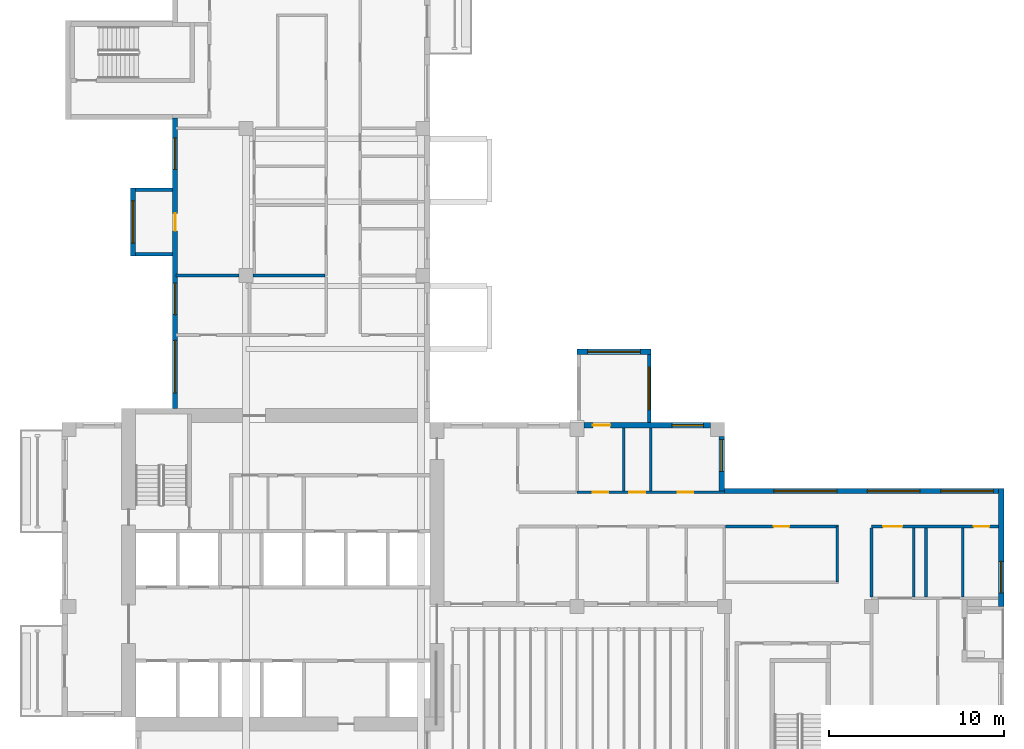
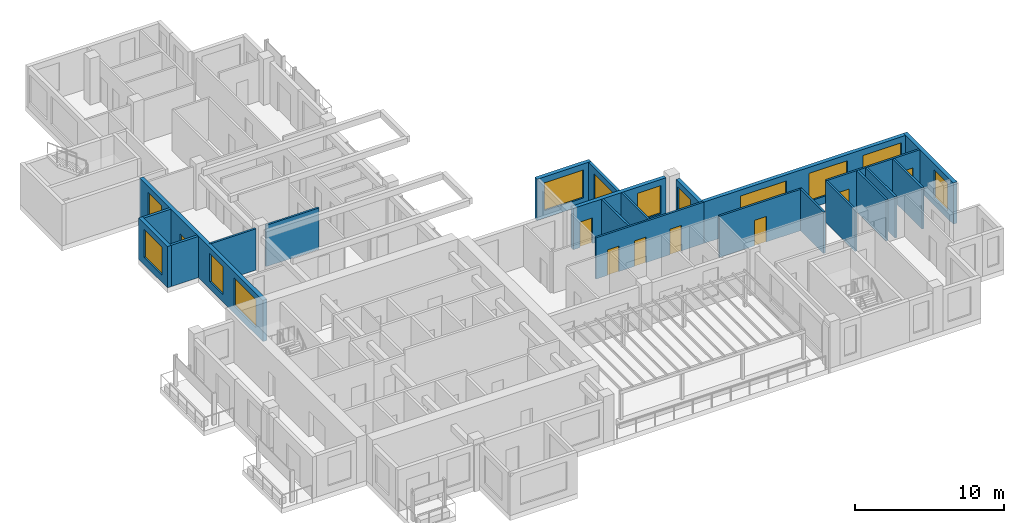
# One storey, part 7 of 13: 22 walls, 12 windows, 8 doors, 20 openings.
"""IFC4 building model written with IfcOpenShell, lengths in metres."""

import ifcopenshell
import ifcopenshell.guid

model = None  # the IFC model being written
_history = None  # IfcOwnerHistory: only IFC2X3 demands one
_inside = {}  # id of a spatial element -> (the spatial element, [elements in it])
_under = {}  # id of a project, library or spatial element -> (it, [spatial elements below it])
_declared = {}  # id of a project -> (the project, [libraries it declares])
_typed = {}  # id of a type object -> (the type object, [elements of that type])
_made_of = {}  # id of a material, layer set ... -> (it, [elements and type objects made of it])


def new_model(schema):
    """Start an empty IFC model of exactly this schema.

    Asked for "IFC4X3", IfcOpenShell would pick the latest addendum, in which some entities
    have other attributes; the version numbers below select the first issue.
    IFC2X3 requires an IfcOwnerHistory on every rooted entity: one is made here for all.
    """
    global model, _history
    if schema == "IFC4X3":
        model = ifcopenshell.file(schema_version=(4, 3, 0, 0))
    else:
        model = ifcopenshell.file(schema=schema)
    _inside.clear()
    _under.clear()
    _declared.clear()
    _typed.clear()
    _made_of.clear()
    _history = None
    if model.schema == "IFC2X3":
        org = make("IfcOrganization", Name="unknown")
        user = make(
            "IfcPersonAndOrganization",
            ThePerson=make("IfcPerson", FamilyName="unknown"),
            TheOrganization=org,
        )
        app = make(
            "IfcApplication",
            ApplicationDeveloper=org,
            Version="unknown",
            ApplicationFullName="unknown",
            ApplicationIdentifier="unknown",
        )
        _history = make(
            "IfcOwnerHistory",
            OwningUser=user,
            OwningApplication=app,
            ChangeAction="ADDED",
            CreationDate=0,
        )
    return model


def make(cls, **values):
    """One entity of the class cls with the attributes given. An attribute that is None is left unset."""
    return model.create_entity(
        cls, **{name: value for name, value in values.items() if value is not None}
    )


def rooted(cls, **values):
    """An entity with a GlobalId (a new one), such as an element, a storey or a relation."""
    return make(cls, GlobalId=ifcopenshell.guid.new(), OwnerHistory=_history, **values)


def si_unit(unit_type, name, prefix=None):
    """IfcSIUnit, for example si_unit("LENGTHUNIT", "METRE", prefix="MILLI")."""
    return make("IfcSIUnit", UnitType=unit_type, Prefix=prefix, Name=name)


def assignment(units):
    """IfcUnitAssignment: the units of a project."""
    return None if units is None else make("IfcUnitAssignment", Units=units)


def point(xyz):
    """IfcCartesianPoint."""
    return None if xyz is None else make("IfcCartesianPoint", Coordinates=xyz)


def direction(xyz):
    """IfcDirection."""
    return None if xyz is None else make("IfcDirection", DirectionRatios=xyz)


def frame(location, z_axis=None, x_axis=None):
    """IfcAxis2Placement3D, a coordinate frame: its origin and axes. An axis left out is left unset."""
    return make(
        "IfcAxis2Placement3D",
        Location=point(location),
        Axis=direction(z_axis),
        RefDirection=direction(x_axis),
    )


def frame_2d(location, x_axis=None):
    """IfcAxis2Placement2D, a coordinate frame in the plane: its origin and x axis."""
    return make(
        "IfcAxis2Placement2D", Location=point(location), RefDirection=direction(x_axis)
    )


def origin():
    """The frame at (0, 0, 0) with its axes left unset."""
    return frame((0.0, 0.0, 0.0))


def place(relative_to, where):
    """IfcLocalPlacement: puts the frame where relative to a parent placement (None: the world)."""
    return make(
        "IfcLocalPlacement", PlacementRelTo=relative_to, RelativePlacement=where
    )


def context(
    kind, dimensions, precision=None, world=None, true_north=None, identifier=None
):
    """IfcGeometricRepresentationContext, for example the 3D "Model" context."""
    return make(
        "IfcGeometricRepresentationContext",
        ContextIdentifier=identifier,
        ContextType=kind,
        CoordinateSpaceDimension=dimensions,
        Precision=precision,
        WorldCoordinateSystem=world,
        TrueNorth=true_north,
    )


def subcontext(parent, identifier, kind, view, scale=None):
    """IfcGeometricRepresentationSubContext, for example "Body" below "Model"."""
    return make(
        "IfcGeometricRepresentationSubContext",
        ContextIdentifier=identifier,
        ContextType=kind,
        ParentContext=parent,
        TargetScale=scale,
        TargetView=view,
    )


def project(units=None, contexts=None):
    """IfcProject with its units and contexts."""
    return rooted(
        "IfcProject",
        Name="project",
        RepresentationContexts=contexts,
        UnitsInContext=assignment(units),
    )


def spatial(cls, under=None, at=None, **own):
    """A site, building, storey or space (cls), placed at a placement, below another one or the project."""
    s = rooted(cls, ObjectPlacement=at, **own)
    if under is not None:
        _under.setdefault(under.id(), (under, []))[1].append(s)
    return s


def profile(cls, at=None, kind="AREA", **sizes):
    """A parametric profile (cls). Its sizes go by their IFC names, for example OverallWidth=200.0."""
    return make(cls, ProfileType=kind, Position=at, **sizes)


def rectangle(**sizes):
    """IfcRectangleProfileDef."""
    return profile("IfcRectangleProfileDef", **sizes)


def extrude(swept, where, along, depth):
    """IfcExtrudedAreaSolid: the profile swept, set in the frame where, extruded along a direction by depth."""
    return make(
        "IfcExtrudedAreaSolid",
        SweptArea=swept,
        Position=where,
        ExtrudedDirection=direction(along),
        Depth=depth,
    )


def shape(context_of_items, identifier, shape_type, items):
    """IfcShapeRepresentation: the items that make up one representation, for example the "Body"."""
    return make(
        "IfcShapeRepresentation",
        ContextOfItems=context_of_items,
        RepresentationIdentifier=identifier,
        RepresentationType=shape_type,
        Items=items,
    )


def source(mapping_origin, context_of_items, identifier, shape_type, items):
    """IfcRepresentationMap: a shape defined once, which mapped items show again and again."""
    return make(
        "IfcRepresentationMap",
        MappingOrigin=mapping_origin,
        MappedRepresentation=shape(context_of_items, identifier, shape_type, items),
    )


def transform(
    local_origin,
    x_axis=None,
    y_axis=None,
    z_axis=None,
    scale=None,
    scale2=None,
    scale3=None,
    uniform=True,
):
    """IfcCartesianTransformationOperator3D, or its non-uniform kind. x_axis, y_axis, z_axis: its Axis1, 2, 3."""
    if uniform:
        return make(
            "IfcCartesianTransformationOperator3D",
            Axis1=direction(x_axis),
            Axis2=direction(y_axis),
            LocalOrigin=point(local_origin),
            Scale=scale,
            Axis3=direction(z_axis),
        )
    return make(
        "IfcCartesianTransformationOperator3DnonUniform",
        Axis1=direction(x_axis),
        Axis2=direction(y_axis),
        LocalOrigin=point(local_origin),
        Scale=scale,
        Axis3=direction(z_axis),
        Scale2=scale2,
        Scale3=scale3,
    )


def mapped(mapping_source, mapping_target):
    """IfcMappedItem: shows the shape of a source again, moved by a transform."""
    return make(
        "IfcMappedItem", MappingSource=mapping_source, MappingTarget=mapping_target
    )


def material(Name=None, Category=None):
    """IfcMaterial."""
    return make("IfcMaterial", Name=Name, Category=Category)


def layer(
    of_material, thickness, ventilated=None, Name=None, Category=None, Priority=None
):
    """IfcMaterialLayer: one layer of a wall or slab, of a material (None: an air gap)."""
    return make(
        "IfcMaterialLayer",
        Material=of_material,
        LayerThickness=thickness,
        IsVentilated=ventilated,
        Name=Name,
        Category=Category,
        Priority=Priority,
    )


def layer_set(layers, Name=None):
    """IfcMaterialLayerSet."""
    return make("IfcMaterialLayerSet", MaterialLayers=layers, LayerSetName=Name)


def made_of(thing, what):
    """Note that an element or type object is made of a material, layer set ...; save() writes the relation."""
    if what is not None:
        _made_of.setdefault(what.id(), (what, []))[1].append(thing)
    return thing


def type_object(cls, material=None, **own):
    """A type object (cls), such as IfcWallType, which elements share."""
    return made_of(rooted(cls, **own), material)


def element(
    cls,
    number,
    at=None,
    inside=None,
    cuts=None,
    type_object=None,
    material=None,
    context=None,
    identifier="Body",
    shape_type=None,
    held_by="IfcProductDefinitionShape",
    body=None,
    shapes=None,
    **own,
):
    """One element of the class cls, such as IfcWall. Its Tag is "e" and its number.

    at: its placement. inside: the storey or other place that contains it. cuts: it is an
    opening in that element (IfcRelVoidsElement). A single representation is given by context,
    identifier, shape_type and body (its items); several are given by shapes. held_by: the class
    of the entity that holds the representations. save() writes the other relations.
    """
    e = rooted(cls, Tag="e%d" % number, ObjectPlacement=at, **own)
    if body is not None:
        shapes = [shape(context, identifier, shape_type, body)]
    if shapes is not None:
        e.Representation = make(held_by, Representations=shapes)
    if inside is not None:
        _inside.setdefault(inside.id(), (inside, []))[1].append(e)
    if cuts is not None:
        rooted(
            "IfcRelVoidsElement", RelatingBuildingElement=cuts, RelatedOpeningElement=e
        )
    if type_object is not None:
        _typed.setdefault(type_object.id(), (type_object, []))[1].append(e)
    return made_of(e, material)


def fill(opening, filler):
    """IfcRelFillsElement: the door or window that sits in an opening."""
    return rooted(
        "IfcRelFillsElement",
        RelatingOpeningElement=opening,
        RelatedBuildingElement=filler,
    )


def aggregate(whole, parts):
    """IfcRelAggregates: a whole, such as a stair, and the parts it consists of."""
    return rooted("IfcRelAggregates", RelatingObject=whole, RelatedObjects=parts)


def save(model, path):
    """Write the relations noted so far, then the file.

    IfcRelAggregates (storeys below a building ...), IfcRelContainedInSpatialStructure (elements
    in a storey), IfcRelDefinesByType, IfcRelAssociatesMaterial and IfcRelDeclares: one each for
    every whole, place, type object, material and project.
    """
    for whole, parts in _under.values():
        aggregate(whole, parts)
    for where, things in _inside.values():
        rooted(
            "IfcRelContainedInSpatialStructure",
            RelatedElements=things,
            RelatingStructure=where,
        )
    for kind, things in _typed.values():
        rooted("IfcRelDefinesByType", RelatedObjects=things, RelatingType=kind)
    for what, things in _made_of.values():
        rooted("IfcRelAssociatesMaterial", RelatedObjects=things, RelatingMaterial=what)
    for by, libraries in _declared.values():
        rooted("IfcRelDeclares", RelatingContext=by, RelatedDefinitions=libraries)
    model.write(path)


model = new_model("IFC4")

# Units and contexts
model_context = context("Model", 3, precision=1e-05, world=origin(), true_north=direction((0.0, 1.0)))
body_context = subcontext(model_context, "Body", "Model", "MODEL_VIEW")
ifc_project = project(units=[si_unit("LENGTHUNIT", "METRE"), si_unit("AREAUNIT", "SQUARE_METRE"), si_unit("VOLUMEUNIT", "CUBIC_METRE"), si_unit("PLANEANGLEUNIT", "RADIAN"), si_unit("MASSUNIT", "GRAM", prefix="KILO")], contexts=[model_context])

# Site, building, storey
site_placement = place(None, origin())
site = spatial("IfcSite", under=ifc_project, at=site_placement, CompositionType="ELEMENT")
building_placement = place(site_placement, origin())
building = spatial("IfcBuilding", under=site, at=building_placement, Name="Aurelian Terraces", CompositionType="ELEMENT")
storey_placement = place(building_placement, frame((0.0, 0.0, 253.8)))
storey = spatial("IfcBuildingStorey", under=building, at=storey_placement, Name="L58", CompositionType="ELEMENT", Elevation=253.8)

# Wall, opening, window
ifc_material_1 = material(Name="Concrete fc' 40 MPa", Category="concrete")
ifc_layer_1 = layer(ifc_material_1, 0.2)
ifc_layer_set_1 = layer_set([ifc_layer_1], Name="BOX BEARING WALL 200")
wall_type_1 = type_object("IfcWallType", Name="BOX BEARING WALL 200", PredefinedType="SOLIDWALL", material=ifc_layer_set_1)
shared_shape_1 = source(origin(), body_context, "Body", "SweptSolid", [
    extrude(rectangle(XDim=3.9, YDim=0.2, at=frame_2d((1.95, 0.0))), origin(), (0.0, 0.0, 1.0), 3.39),
])
wall_1_placement = place(storey_placement, frame((33.5, 21.0, 0.0), z_axis=(0.0, 0.0, 1.0), x_axis=(0.0, 1.0, 0.0)))
wall_1 = element("IfcWall", 1, at=wall_1_placement, inside=storey, type_object=wall_type_1, Name="Box return L58 J84.1", PredefinedType="SOLIDWALL", context=body_context, shape_type="MappedRepresentation", body=[
    mapped(shared_shape_1, transform((0.0, 0.0, 0.0), scale=1.0)),
])
shared_shape_2 = source(origin(), body_context, "Body", "SweptSolid", [
    extrude(rectangle(XDim=2.4, YDim=2.3, at=frame_2d((1.2, 1.15))), frame((0.0, 0.11, 0.0), z_axis=(0.0, -1.0, 0.0), x_axis=(1.0, 0.0, 0.0)), (0.0, 0.0, 1.0), 0.22),
])
opening_1_placement = place(wall_1_placement, frame((0.75, 0.0, 0.6)))
opening_1 = element("IfcOpeningElement", 2, at=opening_1_placement, cuts=wall_1, Name="Opening W2423", PredefinedType="OPENING", context=body_context, shape_type="MappedRepresentation", body=[
    mapped(shared_shape_2, transform((0.0, 0.0, 0.0), scale=1.0)),
])
ifc_material_2 = material(Name="Clear glazing", Category="glass")
window_type_1 = type_object("IfcWindowType", Name="W-2400x2300", PartitioningType="SINGLE_PANEL", PredefinedType="WINDOW", material=ifc_material_2)
shared_shape_3 = source(origin(), body_context, "Body", "SweptSolid", [
    extrude(rectangle(XDim=2.4, YDim=2.3, at=frame_2d((1.2, 1.15))), frame((0.0, 0.03, 0.0), z_axis=(0.0, -1.0, 0.0), x_axis=(1.0, 0.0, 0.0)), (0.0, 0.0, 1.0), 0.06),
])
window_1_placement = place(opening_1_placement, origin())
window_1 = element("IfcWindow", 3, at=window_1_placement, inside=storey, type_object=window_type_1, Name="Window L58 J84-S1", OverallHeight=2.3, OverallWidth=2.4, PartitioningType="SINGLE_PANEL", PredefinedType="WINDOW", context=body_context, shape_type="MappedRepresentation", body=[
    mapped(shared_shape_3, transform((0.0, 0.0, 0.0), scale=1.0)),
])
fill(opening_1, window_1)

ifc_layer_2 = layer(ifc_material_1, 0.3)
ifc_layer_set_2 = layer_set([ifc_layer_2], Name="BOX BEARING WALL 300")
wall_type_2 = type_object("IfcWallType", Name="BOX BEARING WALL 300", PredefinedType="SOLIDWALL", material=ifc_layer_set_2)
shared_shape_4 = source(origin(), body_context, "Body", "SweptSolid", [
    extrude(rectangle(XDim=4.2, YDim=0.3, at=frame_2d((2.1, 0.0))), origin(), (0.0, 0.0, 1.0), 3.39),
])
wall_2_placement = place(storey_placement, frame((33.6, 25.05, 0.0), z_axis=(0.0, 0.0, 1.0), x_axis=(-1.0, 0.0, 0.0)))
wall_2 = element("IfcWall", 4, at=wall_2_placement, inside=storey, type_object=wall_type_2, Name="Box wall L58 J84", PredefinedType="SOLIDWALL", context=body_context, shape_type="MappedRepresentation", body=[
    mapped(shared_shape_4, transform((0.0, 0.0, 0.0), scale=1.0)),
])
shared_shape_5 = source(origin(), body_context, "Body", "SweptSolid", [
    extrude(rectangle(XDim=3.0, YDim=2.3, at=frame_2d((1.5, 1.15))), frame((0.0, 0.16, 0.0), z_axis=(0.0, -1.0, 0.0), x_axis=(1.0, 0.0, 0.0)), (0.0, 0.0, 1.0), 0.32),
])
opening_2_placement = place(wall_2_placement, frame((0.6, 0.0, 0.6)))
opening_2 = element("IfcOpeningElement", 5, at=opening_2_placement, cuts=wall_2, Name="Opening W3023", PredefinedType="OPENING", context=body_context, shape_type="MappedRepresentation", body=[
    mapped(shared_shape_5, transform((0.0, 0.0, 0.0), scale=1.0)),
])
window_type_2 = type_object("IfcWindowType", Name="W-3000x2300", PartitioningType="SINGLE_PANEL", PredefinedType="WINDOW", material=ifc_material_2)
shared_shape_6 = source(origin(), body_context, "Body", "SweptSolid", [
    extrude(rectangle(XDim=3.0, YDim=2.3, at=frame_2d((1.5, 1.15))), frame((0.0, 0.03, 0.0), z_axis=(0.0, -1.0, 0.0), x_axis=(1.0, 0.0, 0.0)), (0.0, 0.0, 1.0), 0.06),
])
window_2_placement = place(opening_2_placement, origin())
window_2 = element("IfcWindow", 6, at=window_2_placement, inside=storey, type_object=window_type_2, Name="Window L58 J84-F1", OverallHeight=2.3, OverallWidth=3.0, PartitioningType="SINGLE_PANEL", PredefinedType="WINDOW", context=body_context, shape_type="MappedRepresentation", body=[
    mapped(shared_shape_6, transform((0.0, 0.0, 0.0), scale=1.0)),
])
fill(opening_2, window_2)

# Wall, openings, windows, door
ifc_material_3 = material(Name="Terracotta rainscreen cladding", Category="masonry")
ifc_layer_3 = layer(ifc_material_3, 0.3)
ifc_layer_set_3 = layer_set([ifc_layer_3], Name="EW-300")
wall_type_3 = type_object("IfcWallType", Name="EW-300", PredefinedType="STANDARD", material=ifc_layer_set_3)
shared_shape_7 = source(origin(), body_context, "Body", "SweptSolid", [
    extrude(rectangle(XDim=16.6, YDim=0.3, at=frame_2d((8.3, 0.0))), origin(), (0.0, 0.0, 1.0), 3.4),
])
wall_3_placement = place(storey_placement, frame((6.45, 38.4, 0.0), z_axis=(0.0, 0.0, 1.0), x_axis=(0.0, -1.0, 0.0)))
wall_3 = element("IfcWall", 7, at=wall_3_placement, inside=storey, type_object=wall_type_3, Name="External wall L58 F20.34", PredefinedType="STANDARD", context=body_context, shape_type="MappedRepresentation", body=[
    mapped(shared_shape_7, transform((0.0, 0.0, 0.0), scale=1.0)),
])
shared_shape_8 = source(origin(), body_context, "Body", "SweptSolid", [
    extrude(rectangle(XDim=1.8, YDim=2.3, at=frame_2d((0.9, 1.15))), frame((0.0, 0.16, 0.0), z_axis=(0.0, -1.0, 0.0), x_axis=(1.0, 0.0, 0.0)), (0.0, 0.0, 1.0), 0.32),
])
opening_3_placement = place(wall_3_placement, frame((1.15, 0.0, 0.6)))
opening_3 = element("IfcOpeningElement", 8, at=opening_3_placement, cuts=wall_3, Name="Opening W1823", PredefinedType="OPENING", context=body_context, shape_type="MappedRepresentation", body=[
    mapped(shared_shape_8, transform((0.0, 0.0, 0.0), scale=1.0)),
])
opening_4_placement = place(wall_3_placement, frame((9.4375, 0.0, 0.6)))
opening_4 = element("IfcOpeningElement", 9, at=opening_4_placement, cuts=wall_3, Name="Opening W1823", PredefinedType="OPENING", context=body_context, shape_type="MappedRepresentation", body=[
    mapped(shared_shape_8, transform((0.0, 0.0, 0.0), scale=1.0)),
])
opening_5_placement = place(wall_3_placement, frame((12.7, 0.0, 0.6)))
opening_5 = element("IfcOpeningElement", 10, at=opening_5_placement, cuts=wall_3, Name="Opening W3023", PredefinedType="OPENING", context=body_context, shape_type="MappedRepresentation", body=[
    mapped(shared_shape_5, transform((0.0, 0.0, 0.0), scale=1.0)),
])
shared_shape_9 = source(origin(), body_context, "Body", "SweptSolid", [
    extrude(rectangle(XDim=1.0, YDim=2.1, at=frame_2d((0.5, 1.05))), frame((0.0, 0.16, 0.0), z_axis=(0.0, -1.0, 0.0), x_axis=(1.0, 0.0, 0.0)), (0.0, 0.0, 1.0), 0.32),
])
opening_6_placement = place(wall_3_placement, frame((5.45, 0.0, 0.0)))
opening_6 = element("IfcOpeningElement", 11, at=opening_6_placement, cuts=wall_3, Name="Opening 858003", PredefinedType="OPENING", context=body_context, shape_type="MappedRepresentation", body=[
    mapped(shared_shape_9, transform((0.0, 0.0, 0.0), scale=1.0)),
])
window_3_placement = place(opening_5_placement, origin())
window_3 = element("IfcWindow", 12, at=window_3_placement, inside=storey, type_object=window_type_2, Name="Window L58 L58-F20-34-3", OverallHeight=2.3, OverallWidth=3.0, PartitioningType="SINGLE_PANEL", PredefinedType="WINDOW", context=body_context, shape_type="MappedRepresentation", body=[
    mapped(shared_shape_6, transform((0.0, 0.0, 0.0), scale=1.0)),
])
fill(opening_5, window_3)
window_type_3 = type_object("IfcWindowType", Name="W-1800x2300", PartitioningType="SINGLE_PANEL", PredefinedType="WINDOW", material=ifc_material_2)
shared_shape_10 = source(origin(), body_context, "Body", "SweptSolid", [
    extrude(rectangle(XDim=1.8, YDim=2.3, at=frame_2d((0.9, 1.15))), frame((0.0, 0.03, 0.0), z_axis=(0.0, -1.0, 0.0), x_axis=(1.0, 0.0, 0.0)), (0.0, 0.0, 1.0), 0.06),
])
window_4_placement = place(opening_3_placement, origin())
window_4 = element("IfcWindow", 13, at=window_4_placement, inside=storey, type_object=window_type_3, Name="Window L58 L58-F20-34-0", OverallHeight=2.3, OverallWidth=1.8, PartitioningType="SINGLE_PANEL", PredefinedType="WINDOW", context=body_context, shape_type="MappedRepresentation", body=[
    mapped(shared_shape_10, transform((0.0, 0.0, 0.0), scale=1.0)),
])
fill(opening_3, window_4)
window_5_placement = place(opening_4_placement, origin())
window_5 = element("IfcWindow", 14, at=window_5_placement, inside=storey, type_object=window_type_3, Name="Window L58 L58-F20-34-2", OverallHeight=2.3, OverallWidth=1.8, PartitioningType="SINGLE_PANEL", PredefinedType="WINDOW", context=body_context, shape_type="MappedRepresentation", body=[
    mapped(shared_shape_10, transform((0.0, 0.0, 0.0), scale=1.0)),
])
fill(opening_4, window_5)
ifc_material_4 = material(Name="Timber door leaf", Category="wood")
door_type_1 = type_object("IfcDoorType", Name="Room door 1000x2100 left", OperationType="SINGLE_SWING_LEFT", PredefinedType="DOOR", material=ifc_material_4)
shared_shape_11 = source(origin(), body_context, "Body", "SweptSolid", [
    extrude(rectangle(XDim=1.0, YDim=2.1, at=frame_2d((0.5, 1.05))), frame((0.0, 0.025, 0.0), z_axis=(0.0, -1.0, 0.0), x_axis=(1.0, 0.0, 0.0)), (0.0, 0.0, 1.0), 0.05),
])
door_1_placement = place(opening_6_placement, origin())
door_1 = element("IfcDoor", 15, at=door_1_placement, inside=storey, type_object=door_type_1, Name="Door 858003", OperationType="SINGLE_SWING_LEFT", OverallHeight=2.1, OverallWidth=1.0, PredefinedType="DOOR", context=body_context, shape_type="MappedRepresentation", body=[
    mapped(shared_shape_11, transform((0.0, 0.0, 0.0), scale=1.0)),
])
fill(opening_6, door_1)

# Walls
shared_shape_12 = source(origin(), body_context, "Body", "SweptSolid", [
    extrude(rectangle(XDim=2.1, YDim=0.2, at=frame_2d((1.05, 0.0))), origin(), (0.0, 0.0, 1.0), 3.39),
])
for number, where, z_axis, x_axis, name in (
    (16, (6.3, 34.3, 0.0), (0.0, 0.0, 1.0), (-1.0, 0.0, 0.0), "Box return L58 J85.1"),
    (17, (6.3, 30.6, 0.0), (0.0, 0.0, 1.0), (-1.0, 0.0, 0.0), "Box return L58 J85.2"),
):
    element("IfcWall", number, at=place(storey_placement, frame(where, z_axis=z_axis, x_axis=x_axis)), inside=storey, type_object=wall_type_1, Name=name, PredefinedType="SOLIDWALL", context=body_context, shape_type="MappedRepresentation", body=[
        mapped(shared_shape_12, transform((0.0, 0.0, 0.0), scale=1.0)),
    ])

# Wall, opening, window
shared_shape_13 = source(origin(), body_context, "Body", "SweptSolid", [
    extrude(rectangle(XDim=6.75, YDim=0.3, at=frame_2d((3.375, 0.0))), origin(), (0.0, 0.0, 1.0), 3.4),
])
wall_4_placement = place(storey_placement, frame((53.61, 10.5, 0.0), z_axis=(0.0, 0.0, 1.0), x_axis=(0.0, 1.0, 0.0)))
wall_4 = element("IfcWall", 18, at=wall_4_placement, inside=storey, type_object=wall_type_3, Name="External wall L58 F08.16", PredefinedType="STANDARD", context=body_context, shape_type="MappedRepresentation", body=[
    mapped(shared_shape_13, transform((0.0, 0.0, 0.0), scale=1.0)),
])
opening_7_placement = place(wall_4_placement, frame((0.7875, 0.0, 0.6)))
opening_7 = element("IfcOpeningElement", 19, at=opening_7_placement, cuts=wall_4, Name="Opening W1823", PredefinedType="OPENING", context=body_context, shape_type="MappedRepresentation", body=[
    mapped(shared_shape_8, transform((0.0, 0.0, 0.0), scale=1.0)),
])
window_6_placement = place(opening_7_placement, origin())
window_6 = element("IfcWindow", 20, at=window_6_placement, inside=storey, type_object=window_type_3, Name="Window L58 L58-F08-16-0", OverallHeight=2.3, OverallWidth=1.8, PartitioningType="SINGLE_PANEL", PredefinedType="WINDOW", context=body_context, shape_type="MappedRepresentation", body=[
    mapped(shared_shape_10, transform((0.0, 0.0, 0.0), scale=1.0)),
])
fill(opening_7, window_6)

shared_shape_14 = source(origin(), body_context, "Body", "SweptSolid", [
    extrude(rectangle(XDim=3.9, YDim=0.3, at=frame_2d((1.95, 0.0))), origin(), (0.0, 0.0, 1.0), 3.39),
])
wall_5_placement = place(storey_placement, frame((4.05, 34.4, 0.0), z_axis=(0.0, 0.0, 1.0), x_axis=(0.0, -1.0, 0.0)))
wall_5 = element("IfcWall", 21, at=wall_5_placement, inside=storey, type_object=wall_type_2, Name="Box wall L58 J85", PredefinedType="SOLIDWALL", context=body_context, shape_type="MappedRepresentation", body=[
    mapped(shared_shape_14, transform((0.0, 0.0, 0.0), scale=1.0)),
])
shared_shape_15 = source(origin(), body_context, "Body", "SweptSolid", [
    extrude(rectangle(XDim=2.4, YDim=2.3, at=frame_2d((1.2, 1.15))), frame((0.0, 0.16, 0.0), z_axis=(0.0, -1.0, 0.0), x_axis=(1.0, 0.0, 0.0)), (0.0, 0.0, 1.0), 0.32),
])
opening_8_placement = place(wall_5_placement, frame((0.75, 0.0, 0.6)))
opening_8 = element("IfcOpeningElement", 22, at=opening_8_placement, cuts=wall_5, Name="Opening W2423", PredefinedType="OPENING", context=body_context, shape_type="MappedRepresentation", body=[
    mapped(shared_shape_15, transform((0.0, 0.0, 0.0), scale=1.0)),
])
window_7_placement = place(opening_8_placement, origin())
window_7 = element("IfcWindow", 23, at=window_7_placement, inside=storey, type_object=window_type_1, Name="Window L58 J85-F1", OverallHeight=2.3, OverallWidth=2.4, PartitioningType="SINGLE_PANEL", PredefinedType="WINDOW", context=body_context, shape_type="MappedRepresentation", body=[
    mapped(shared_shape_3, transform((0.0, 0.0, 0.0), scale=1.0)),
])
fill(opening_8, window_7)

# Wall, openings, windows
shared_shape_16 = source(origin(), body_context, "Body", "SweptSolid", [
    extrude(rectangle(XDim=15.96, YDim=0.3, at=frame_2d((7.98, 0.0))), origin(), (0.0, 0.0, 1.0), 3.4),
])
wall_6_placement = place(storey_placement, frame((53.76, 17.1, 0.0), z_axis=(0.0, 0.0, 1.0), x_axis=(-1.0, 0.0, 0.0)))
wall_6 = element("IfcWall", 24, at=wall_6_placement, inside=storey, type_object=wall_type_3, Name="External wall L58 F09.17", PredefinedType="STANDARD", context=body_context, shape_type="MappedRepresentation", body=[
    mapped(shared_shape_16, transform((0.0, 0.0, 0.0), scale=1.0)),
])
opening_9_placement = place(wall_6_placement, frame((0.6, 0.0, 0.6)))
opening_9 = element("IfcOpeningElement", 25, at=opening_9_placement, cuts=wall_6, Name="Opening W3023", PredefinedType="OPENING", context=body_context, shape_type="MappedRepresentation", body=[
    mapped(shared_shape_5, transform((0.0, 0.0, 0.0), scale=1.0)),
])
opening_10_placement = place(wall_6_placement, frame((4.8, 0.0, 0.6)))
opening_10 = element("IfcOpeningElement", 26, at=opening_10_placement, cuts=wall_6, Name="Opening W3023", PredefinedType="OPENING", context=body_context, shape_type="MappedRepresentation", body=[
    mapped(shared_shape_5, transform((0.0, 0.0, 0.0), scale=1.0)),
])
shared_shape_17 = source(origin(), body_context, "Body", "SweptSolid", [
    extrude(rectangle(XDim=3.6, YDim=2.3, at=frame_2d((1.8, 1.15))), frame((0.0, 0.16, 0.0), z_axis=(0.0, -1.0, 0.0), x_axis=(1.0, 0.0, 0.0)), (0.0, 0.0, 1.0), 0.32),
])
opening_11_placement = place(wall_6_placement, frame((9.54, 0.0, 0.6)))
opening_11 = element("IfcOpeningElement", 27, at=opening_11_placement, cuts=wall_6, Name="Opening W3623", PredefinedType="OPENING", context=body_context, shape_type="MappedRepresentation", body=[
    mapped(shared_shape_17, transform((0.0, 0.0, 0.0), scale=1.0)),
])
window_type_4 = type_object("IfcWindowType", Name="W-3600x2300", PartitioningType="SINGLE_PANEL", PredefinedType="WINDOW", material=ifc_material_2)
shared_shape_18 = source(origin(), body_context, "Body", "SweptSolid", [
    extrude(rectangle(XDim=3.6, YDim=2.3, at=frame_2d((1.8, 1.15))), frame((0.0, 0.03, 0.0), z_axis=(0.0, -1.0, 0.0), x_axis=(1.0, 0.0, 0.0)), (0.0, 0.0, 1.0), 0.06),
])
window_8_placement = place(opening_11_placement, origin())
window_8 = element("IfcWindow", 28, at=window_8_placement, inside=storey, type_object=window_type_4, Name="Window L58 L58-F09-17-2", OverallHeight=2.3, OverallWidth=3.6, PartitioningType="SINGLE_PANEL", PredefinedType="WINDOW", context=body_context, shape_type="MappedRepresentation", body=[
    mapped(shared_shape_18, transform((0.0, 0.0, 0.0), scale=1.0)),
])
fill(opening_11, window_8)
window_9_placement = place(opening_9_placement, origin())
window_9 = element("IfcWindow", 29, at=window_9_placement, inside=storey, type_object=window_type_2, Name="Window L58 L58-F09-17-0", OverallHeight=2.3, OverallWidth=3.0, PartitioningType="SINGLE_PANEL", PredefinedType="WINDOW", context=body_context, shape_type="MappedRepresentation", body=[
    mapped(shared_shape_6, transform((0.0, 0.0, 0.0), scale=1.0)),
])
fill(opening_9, window_9)
window_10_placement = place(opening_10_placement, origin())
window_10 = element("IfcWindow", 30, at=window_10_placement, inside=storey, type_object=window_type_2, Name="Window L58 L58-F09-17-1", OverallHeight=2.3, OverallWidth=3.0, PartitioningType="SINGLE_PANEL", PredefinedType="WINDOW", context=body_context, shape_type="MappedRepresentation", body=[
    mapped(shared_shape_6, transform((0.0, 0.0, 0.0), scale=1.0)),
])
fill(opening_10, window_10)

# Wall, openings, window, door
shared_shape_19 = source(origin(), body_context, "Body", "SweptSolid", [
    extrude(rectangle(XDim=7.2, YDim=0.3, at=frame_2d((3.6, 0.0))), origin(), (0.0, 0.0, 1.0), 3.4),
])
wall_7_placement = place(storey_placement, frame((37.0, 20.85, 0.0), z_axis=(0.0, 0.0, 1.0), x_axis=(-1.0, 0.0, 0.0)))
wall_7 = element("IfcWall", 31, at=wall_7_placement, inside=storey, type_object=wall_type_3, Name="External wall L58 F11.19", PredefinedType="STANDARD", context=body_context, shape_type="MappedRepresentation", body=[
    mapped(shared_shape_19, transform((0.0, 0.0, 0.0), scale=1.0)),
])
opening_12_placement = place(wall_7_placement, frame((0.4, 0.0, 0.6)))
opening_12 = element("IfcOpeningElement", 32, at=opening_12_placement, cuts=wall_7, Name="Opening W1823", PredefinedType="OPENING", context=body_context, shape_type="MappedRepresentation", body=[
    mapped(shared_shape_8, transform((0.0, 0.0, 0.0), scale=1.0)),
])
opening_13_placement = place(wall_7_placement, frame((5.7, 0.0, 0.0)))
opening_13 = element("IfcOpeningElement", 33, at=opening_13_placement, cuts=wall_7, Name="Opening 858002", PredefinedType="OPENING", context=body_context, shape_type="MappedRepresentation", body=[
    mapped(shared_shape_9, transform((0.0, 0.0, 0.0), scale=1.0)),
])
window_11_placement = place(opening_12_placement, origin())
window_11 = element("IfcWindow", 34, at=window_11_placement, inside=storey, type_object=window_type_3, Name="Window L58 L58-F11-19-0", OverallHeight=2.3, OverallWidth=1.8, PartitioningType="SINGLE_PANEL", PredefinedType="WINDOW", context=body_context, shape_type="MappedRepresentation", body=[
    mapped(shared_shape_10, transform((0.0, 0.0, 0.0), scale=1.0)),
])
fill(opening_12, window_11)
door_2_placement = place(opening_13_placement, origin())
door_2 = element("IfcDoor", 35, at=door_2_placement, inside=storey, type_object=door_type_1, Name="Door 858002", OperationType="SINGLE_SWING_LEFT", OverallHeight=2.1, OverallWidth=1.0, PredefinedType="DOOR", context=body_context, shape_type="MappedRepresentation", body=[
    mapped(shared_shape_11, transform((0.0, 0.0, 0.0), scale=1.0)),
])
fill(opening_13, door_2)

# Wall, opening, window
shared_shape_20 = source(origin(), body_context, "Body", "SweptSolid", [
    extrude(rectangle(XDim=3.1, YDim=0.3, at=frame_2d((1.55, 0.0))), origin(), (0.0, 0.0, 1.0), 3.4),
])
wall_8_placement = place(storey_placement, frame((37.65, 17.1, 0.0), z_axis=(0.0, 0.0, 1.0), x_axis=(0.0, 1.0, 0.0)))
wall_8 = element("IfcWall", 36, at=wall_8_placement, inside=storey, type_object=wall_type_3, Name="External wall L58 F10.18", PredefinedType="STANDARD", context=body_context, shape_type="MappedRepresentation", body=[
    mapped(shared_shape_20, transform((0.0, 0.0, 0.0), scale=1.0)),
])
opening_14_placement = place(wall_8_placement, frame((1.125, 0.0, 0.6)))
opening_14 = element("IfcOpeningElement", 37, at=opening_14_placement, cuts=wall_8, Name="Opening W1823", PredefinedType="OPENING", context=body_context, shape_type="MappedRepresentation", body=[
    mapped(shared_shape_8, transform((0.0, 0.0, 0.0), scale=1.0)),
])
window_12_placement = place(opening_14_placement, origin())
window_12 = element("IfcWindow", 38, at=window_12_placement, inside=storey, type_object=window_type_3, Name="Window L58 L58-F10-18-0", OverallHeight=2.3, OverallWidth=1.8, PartitioningType="SINGLE_PANEL", PredefinedType="WINDOW", context=body_context, shape_type="MappedRepresentation", body=[
    mapped(shared_shape_10, transform((0.0, 0.0, 0.0), scale=1.0)),
])
fill(opening_14, window_12)

# Wall, opening, door
ifc_material_5 = material(Name="Gypsum board on steel studs", Category="steel")
ifc_layer_4 = layer(ifc_material_5, 0.15)
ifc_layer_set_4 = layer_set([ifc_layer_4], Name="Fire partition 150")
wall_type_4 = type_object("IfcWallType", Name="Fire partition 150", PredefinedType="PARTITIONING", material=ifc_layer_set_4)
shared_shape_21 = source(origin(), body_context, "Body", "SweptSolid", [
    extrude(rectangle(XDim=6.45, YDim=0.15, at=frame_2d((3.225, 0.0))), origin(), (0.0, 0.0, 1.0), 3.4),
])
wall_9_placement = place(storey_placement, frame((44.325, 15.075, 0.0), z_axis=(0.0, 0.0, 1.0), x_axis=(-1.0, 0.0, 0.0)))
wall_9 = element("IfcWall", 39, at=wall_9_placement, inside=storey, type_object=wall_type_4, Name="Corridor wall", PredefinedType="PARTITIONING", context=body_context, shape_type="MappedRepresentation", body=[
    mapped(shared_shape_21, transform((0.0, 0.0, 0.0), scale=1.0)),
])
shared_shape_22 = source(origin(), body_context, "Body", "SweptSolid", [
    extrude(rectangle(XDim=0.9, YDim=2.1, at=frame_2d((0.45, 1.05))), frame((0.0, 0.085, 0.0), z_axis=(0.0, -1.0, 0.0), x_axis=(1.0, 0.0, 0.0)), (0.0, 0.0, 1.0), 0.17),
])
opening_15_placement = place(wall_9_placement, frame((2.8125, 0.0, 0.0)))
opening_15 = element("IfcOpeningElement", 40, at=opening_15_placement, cuts=wall_9, Name="Opening 758003", PredefinedType="OPENING", context=body_context, shape_type="MappedRepresentation", body=[
    mapped(shared_shape_22, transform((0.0, 0.0, 0.0), scale=1.0)),
])
door_type_2 = type_object("IfcDoorType", Name="Room door 900x2100 right", OperationType="SINGLE_SWING_RIGHT", PredefinedType="DOOR", material=ifc_material_4)
shared_shape_23 = source(origin(), body_context, "Body", "SweptSolid", [
    extrude(rectangle(XDim=0.9, YDim=2.1, at=frame_2d((0.45, 1.05))), frame((0.0, 0.025, 0.0), z_axis=(0.0, -1.0, 0.0), x_axis=(1.0, 0.0, 0.0)), (0.0, 0.0, 1.0), 0.05),
])
door_3_placement = place(opening_15_placement, origin())
door_3 = element("IfcDoor", 41, at=door_3_placement, inside=storey, type_object=door_type_2, Name="Door 758003", OperationType="SINGLE_SWING_RIGHT", OverallHeight=2.1, OverallWidth=0.9, PredefinedType="DOOR", context=body_context, shape_type="MappedRepresentation", body=[
    mapped(shared_shape_23, transform((0.0, 0.0, 0.0), scale=1.0)),
])
fill(opening_15, door_3)

# Walls
ifc_layer_5 = layer(ifc_material_5, 0.15)
ifc_layer_set_5 = layer_set([ifc_layer_5], Name="Partition 150")
wall_type_5 = type_object("IfcWallType", Name="Partition 150", PredefinedType="PARTITIONING", material=ifc_layer_set_5)
shared_shape_24 = source(origin(), body_context, "Body", "SweptSolid", [
    extrude(rectangle(XDim=3.6, YDim=0.15, at=frame_2d((1.8, 0.0))), origin(), (0.0, 0.0, 1.0), 3.4),
])
wall_10_placement = place(storey_placement, frame((32.067, 20.7, 0.0), z_axis=(0.0, 0.0, 1.0), x_axis=(0.0, -1.0, 0.0)))
element("IfcWall", 42, at=wall_10_placement, inside=storey, type_object=wall_type_5, Name="Partition", PredefinedType="PARTITIONING", context=body_context, shape_type="MappedRepresentation", body=[
    mapped(shared_shape_24, transform((0.0, 0.0, 0.0), scale=1.0)),
])
wall_11_placement = place(storey_placement, frame((33.6, 17.1, 0.0), z_axis=(0.0, 0.0, 1.0), x_axis=(0.0, 1.0, 0.0)))
element("IfcWall", 43, at=wall_11_placement, inside=storey, type_object=wall_type_4, Name="Party wall", PredefinedType="PARTITIONING", context=body_context, shape_type="MappedRepresentation", body=[
    mapped(shared_shape_24, transform((0.0, 0.0, 0.0), scale=1.0)),
])

# Wall, openings, doors
shared_shape_25 = source(origin(), body_context, "Body", "SweptSolid", [
    extrude(rectangle(XDim=8.4, YDim=0.15, at=frame_2d((4.2, 0.0))), origin(), (0.0, 0.0, 1.0), 3.4),
])
wall_12_placement = place(storey_placement, frame((29.4, 17.025, 0.0), z_axis=(0.0, 0.0, 1.0), x_axis=(1.0, 0.0, 0.0)))
wall_12 = element("IfcWall", 44, at=wall_12_placement, inside=storey, type_object=wall_type_4, Name="Corridor wall", PredefinedType="PARTITIONING", context=body_context, shape_type="MappedRepresentation", body=[
    mapped(shared_shape_25, transform((0.0, 0.0, 0.0), scale=1.0)),
])
opening_16_placement = place(wall_12_placement, frame((0.8835, 0.0, 0.0)))
opening_16 = element("IfcOpeningElement", 45, at=opening_16_placement, cuts=wall_12, Name="Opening 758013", PredefinedType="OPENING", context=body_context, shape_type="MappedRepresentation", body=[
    mapped(shared_shape_22, transform((0.0, 0.0, 0.0), scale=1.0)),
])
opening_17_placement = place(wall_12_placement, frame((2.9835, 0.0, 0.0)))
opening_17 = element("IfcOpeningElement", 46, at=opening_17_placement, cuts=wall_12, Name="Opening 758014", PredefinedType="OPENING", context=body_context, shape_type="MappedRepresentation", body=[
    mapped(shared_shape_22, transform((0.0, 0.0, 0.0), scale=1.0)),
])
opening_18_placement = place(wall_12_placement, frame((5.7375, 0.0, 0.0)))
opening_18 = element("IfcOpeningElement", 47, at=opening_18_placement, cuts=wall_12, Name="Opening 758036", PredefinedType="OPENING", context=body_context, shape_type="MappedRepresentation", body=[
    mapped(shared_shape_22, transform((0.0, 0.0, 0.0), scale=1.0)),
])
ifc_material_6 = material(Name="Steel door leaf", Category="steel")
door_type_3 = type_object("IfcDoorType", Name="Entrance fire door 900x2100 left", OperationType="SINGLE_SWING_LEFT", PredefinedType="DOOR", material=ifc_material_6)
door_4_placement = place(opening_16_placement, origin())
door_4 = element("IfcDoor", 48, at=door_4_placement, inside=storey, type_object=door_type_3, Name="Door 758013", OperationType="SINGLE_SWING_LEFT", OverallHeight=2.1, OverallWidth=0.9, PredefinedType="DOOR", context=body_context, shape_type="MappedRepresentation", body=[
    mapped(shared_shape_23, transform((0.0, 0.0, 0.0), scale=1.0)),
])
fill(opening_16, door_4)
door_type_4 = type_object("IfcDoorType", Name="Entrance fire door 900x2100 right", OperationType="SINGLE_SWING_RIGHT", PredefinedType="DOOR", material=ifc_material_6)
door_5_placement = place(opening_17_placement, origin())
door_5 = element("IfcDoor", 49, at=door_5_placement, inside=storey, type_object=door_type_4, Name="Door 758014", OperationType="SINGLE_SWING_RIGHT", OverallHeight=2.1, OverallWidth=0.9, PredefinedType="DOOR", context=body_context, shape_type="MappedRepresentation", body=[
    mapped(shared_shape_23, transform((0.0, 0.0, 0.0), scale=1.0)),
])
fill(opening_17, door_5)
door_type_5 = type_object("IfcDoorType", Name="Room door 900x2100 left", OperationType="SINGLE_SWING_LEFT", PredefinedType="DOOR", material=ifc_material_4)
door_6_placement = place(opening_18_placement, origin())
door_6 = element("IfcDoor", 50, at=door_6_placement, inside=storey, type_object=door_type_5, Name="Door 758036", OperationType="SINGLE_SWING_LEFT", OverallHeight=2.1, OverallWidth=0.9, PredefinedType="DOOR", context=body_context, shape_type="MappedRepresentation", body=[
    mapped(shared_shape_23, transform((0.0, 0.0, 0.0), scale=1.0)),
])
fill(opening_18, door_6)

shared_shape_26 = source(origin(), body_context, "Body", "SweptSolid", [
    extrude(rectangle(XDim=7.26, YDim=0.15, at=frame_2d((3.63, 0.0))), origin(), (0.0, 0.0, 1.0), 3.4),
])
wall_13_placement = place(storey_placement, frame((53.46, 15.075, 0.0), z_axis=(0.0, 0.0, 1.0), x_axis=(-1.0, 0.0, 0.0)))
wall_13 = element("IfcWall", 51, at=wall_13_placement, inside=storey, type_object=wall_type_4, Name="Corridor wall", PredefinedType="PARTITIONING", context=body_context, shape_type="MappedRepresentation", body=[
    mapped(shared_shape_26, transform((0.0, 0.0, 0.0), scale=1.0)),
])
shared_shape_27 = source(origin(), body_context, "Body", "SweptSolid", [
    extrude(rectangle(XDim=1.1, YDim=2.1, at=frame_2d((0.55, 1.05))), frame((0.0, 0.085, 0.0), z_axis=(0.0, -1.0, 0.0), x_axis=(1.0, 0.0, 0.0)), (0.0, 0.0, 1.0), 0.17),
])
opening_19_placement = place(wall_13_placement, frame((5.5018, 0.0, 0.0)))
opening_19 = element("IfcOpeningElement", 52, at=opening_19_placement, cuts=wall_13, Name="Opening 758007", PredefinedType="OPENING", context=body_context, shape_type="MappedRepresentation", body=[
    mapped(shared_shape_27, transform((0.0, 0.0, 0.0), scale=1.0)),
])
opening_20_placement = place(wall_13_placement, frame((0.5364, 0.0, 0.0)))
opening_20 = element("IfcOpeningElement", 53, at=opening_20_placement, cuts=wall_13, Name="Opening 758011", PredefinedType="OPENING", context=body_context, shape_type="MappedRepresentation", body=[
    mapped(shared_shape_22, transform((0.0, 0.0, 0.0), scale=1.0)),
])
door_7_placement = place(opening_20_placement, origin())
door_7 = element("IfcDoor", 54, at=door_7_placement, inside=storey, type_object=door_type_3, Name="Door 758011", OperationType="SINGLE_SWING_LEFT", OverallHeight=2.1, OverallWidth=0.9, PredefinedType="DOOR", context=body_context, shape_type="MappedRepresentation", body=[
    mapped(shared_shape_23, transform((0.0, 0.0, 0.0), scale=1.0)),
])
fill(opening_20, door_7)
door_type_6 = type_object("IfcDoorType", Name="Entrance fire door 1100x2100 left", OperationType="SINGLE_SWING_LEFT", PredefinedType="DOOR", material=ifc_material_6)
shared_shape_28 = source(origin(), body_context, "Body", "SweptSolid", [
    extrude(rectangle(XDim=1.1, YDim=2.1, at=frame_2d((0.55, 1.05))), frame((0.0, 0.025, 0.0), z_axis=(0.0, -1.0, 0.0), x_axis=(1.0, 0.0, 0.0)), (0.0, 0.0, 1.0), 0.05),
])
door_8_placement = place(opening_19_placement, origin())
door_8 = element("IfcDoor", 55, at=door_8_placement, inside=storey, type_object=door_type_6, Name="Door 758007", OperationType="SINGLE_SWING_LEFT", OverallHeight=2.1, OverallWidth=1.1, PredefinedType="DOOR", context=body_context, shape_type="MappedRepresentation", body=[
    mapped(shared_shape_28, transform((0.0, 0.0, 0.0), scale=1.0)),
])
fill(opening_19, door_8)

# Walls
shared_shape_29 = source(origin(), body_context, "Body", "SweptSolid", [
    extrude(rectangle(XDim=3.175, YDim=0.15, at=frame_2d((1.5875, 0.0))), origin(), (0.0, 0.0, 1.0), 3.4),
])
wall_14_placement = place(storey_placement, frame((44.25, 11.9, 0.0), z_axis=(0.0, 0.0, 1.0), x_axis=(0.0, 1.0, 0.0)))
element("IfcWall", 56, at=wall_14_placement, inside=storey, type_object=wall_type_5, Name="Partition", PredefinedType="PARTITIONING", context=body_context, shape_type="MappedRepresentation", body=[
    mapped(shared_shape_29, transform((0.0, 0.0, 0.0), scale=1.0)),
])
shared_shape_30 = source(origin(), body_context, "Body", "SweptSolid", [
    extrude(rectangle(XDim=3.95, YDim=0.15, at=frame_2d((1.975, 0.0))), origin(), (0.0, 0.0, 1.0), 3.4),
])
for number, where, z_axis, x_axis, name in (
    (57, (48.6165, 11.05, 0.0), (0.0, 0.0, 1.0), (0.0, 1.0, 0.0), "Partition"),
    (58, (49.3093, 11.05, 0.0), (0.0, 0.0, 1.0), (0.0, 1.0, 0.0), "Partition"),
    (59, (51.4123, 11.05, 0.0), (0.0, 0.0, 1.0), (0.0, 1.0, 0.0), "Partition"),
):
    element("IfcWall", number, at=place(storey_placement, frame(where, z_axis=z_axis, x_axis=x_axis)), inside=storey, type_object=wall_type_5, Name=name, PredefinedType="PARTITIONING", context=body_context, shape_type="MappedRepresentation", body=[
        mapped(shared_shape_30, transform((0.0, 0.0, 0.0), scale=1.0)),
    ])
wall_15_placement = place(storey_placement, frame((46.2, 11.05, 0.0), z_axis=(0.0, 0.0, 1.0), x_axis=(0.0, 1.0, 0.0)))
element("IfcWall", 60, at=wall_15_placement, inside=storey, type_object=wall_type_4, Name="Party wall", PredefinedType="PARTITIONING", context=body_context, shape_type="MappedRepresentation", body=[
    mapped(shared_shape_30, transform((0.0, 0.0, 0.0), scale=1.0)),
])
shared_shape_31 = source(origin(), body_context, "Body", "SweptSolid", [
    extrude(rectangle(XDim=4.101, YDim=0.15, at=frame_2d((2.0505, 0.0))), origin(), (0.0, 0.0, 1.0), 3.4),
])
wall_16_placement = place(storey_placement, frame((15.0, 29.4, 0.0), z_axis=(0.0, 0.0, 1.0), x_axis=(-1.0, 0.0, 0.0)))
element("IfcWall", 61, at=wall_16_placement, inside=storey, type_object=wall_type_5, Name="Partition", PredefinedType="PARTITIONING", context=body_context, shape_type="MappedRepresentation", body=[
    mapped(shared_shape_31, transform((0.0, 0.0, 0.0), scale=1.0)),
])
shared_shape_32 = source(origin(), body_context, "Body", "SweptSolid", [
    extrude(rectangle(XDim=3.596, YDim=0.15, at=frame_2d((1.798, 0.0))), origin(), (0.0, 0.0, 1.0), 3.4),
])
wall_17_placement = place(storey_placement, frame((10.101, 29.4, 0.0), z_axis=(0.0, 0.0, 1.0), x_axis=(-1.0, 0.0, 0.0)))
element("IfcWall", 62, at=wall_17_placement, inside=storey, type_object=wall_type_5, Name="Partition", PredefinedType="PARTITIONING", context=body_context, shape_type="MappedRepresentation", body=[
    mapped(shared_shape_32, transform((0.0, 0.0, 0.0), scale=1.0)),
])

save(model, "model.ifc")
